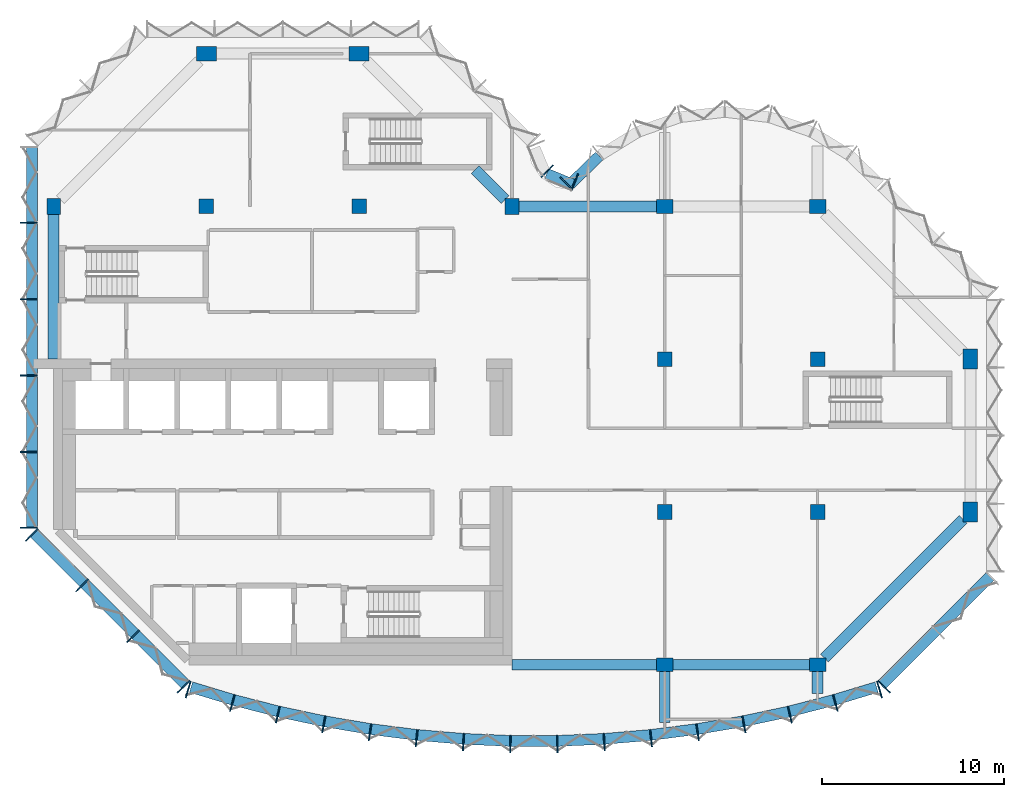
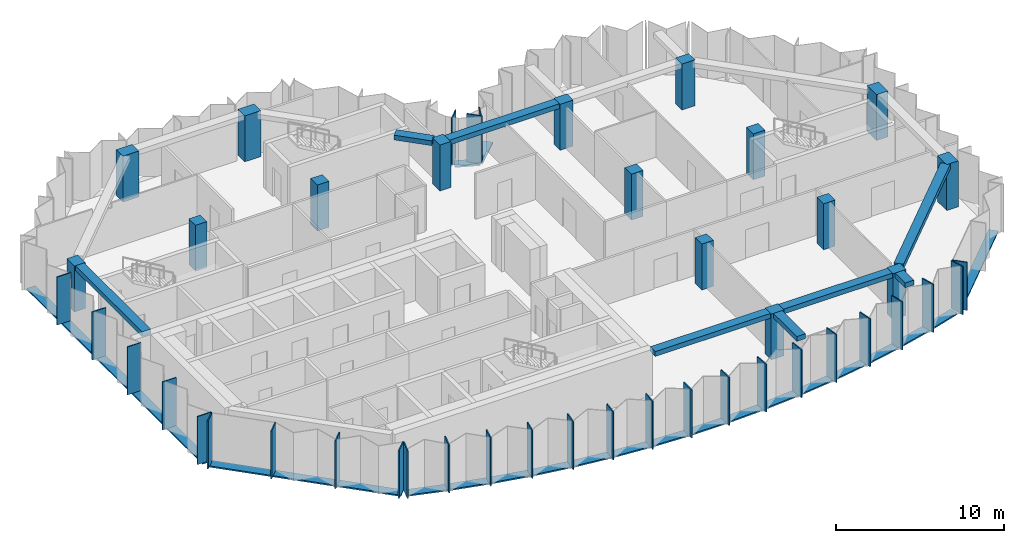
# One storey, part 1 of 10: 49 members, 16 columns, 8 beams, 6 elements without a shape of their own.
"""IFC4 building model written with IfcOpenShell, lengths in metres."""

import ifcopenshell
import ifcopenshell.guid

model = None  # the IFC model being written
_history = None  # IfcOwnerHistory: only IFC2X3 demands one
_inside = {}  # id of a spatial element -> (the spatial element, [elements in it])
_under = {}  # id of a project, library or spatial element -> (it, [spatial elements below it])
_declared = {}  # id of a project -> (the project, [libraries it declares])
_typed = {}  # id of a type object -> (the type object, [elements of that type])
_made_of = {}  # id of a material, layer set ... -> (it, [elements and type objects made of it])


def new_model(schema):
    """Start an empty IFC model of exactly this schema.

    Asked for "IFC4X3", IfcOpenShell would pick the latest addendum, in which some entities
    have other attributes; the version numbers below select the first issue.
    IFC2X3 requires an IfcOwnerHistory on every rooted entity: one is made here for all.
    """
    global model, _history
    if schema == "IFC4X3":
        model = ifcopenshell.file(schema_version=(4, 3, 0, 0))
    else:
        model = ifcopenshell.file(schema=schema)
    _inside.clear()
    _under.clear()
    _declared.clear()
    _typed.clear()
    _made_of.clear()
    _history = None
    if model.schema == "IFC2X3":
        org = make("IfcOrganization", Name="unknown")
        user = make(
            "IfcPersonAndOrganization",
            ThePerson=make("IfcPerson", FamilyName="unknown"),
            TheOrganization=org,
        )
        app = make(
            "IfcApplication",
            ApplicationDeveloper=org,
            Version="unknown",
            ApplicationFullName="unknown",
            ApplicationIdentifier="unknown",
        )
        _history = make(
            "IfcOwnerHistory",
            OwningUser=user,
            OwningApplication=app,
            ChangeAction="ADDED",
            CreationDate=0,
        )
    return model


def make(cls, **values):
    """One entity of the class cls with the attributes given. An attribute that is None is left unset."""
    return model.create_entity(
        cls, **{name: value for name, value in values.items() if value is not None}
    )


def rooted(cls, **values):
    """An entity with a GlobalId (a new one), such as an element, a storey or a relation."""
    return make(cls, GlobalId=ifcopenshell.guid.new(), OwnerHistory=_history, **values)


def si_unit(unit_type, name, prefix=None):
    """IfcSIUnit, for example si_unit("LENGTHUNIT", "METRE", prefix="MILLI")."""
    return make("IfcSIUnit", UnitType=unit_type, Prefix=prefix, Name=name)


def assignment(units):
    """IfcUnitAssignment: the units of a project."""
    return None if units is None else make("IfcUnitAssignment", Units=units)


def point(xyz):
    """IfcCartesianPoint."""
    return None if xyz is None else make("IfcCartesianPoint", Coordinates=xyz)


def direction(xyz):
    """IfcDirection."""
    return None if xyz is None else make("IfcDirection", DirectionRatios=xyz)


def frame(location, z_axis=None, x_axis=None):
    """IfcAxis2Placement3D, a coordinate frame: its origin and axes. An axis left out is left unset."""
    return make(
        "IfcAxis2Placement3D",
        Location=point(location),
        Axis=direction(z_axis),
        RefDirection=direction(x_axis),
    )


def frame_2d(location, x_axis=None):
    """IfcAxis2Placement2D, a coordinate frame in the plane: its origin and x axis."""
    return make(
        "IfcAxis2Placement2D", Location=point(location), RefDirection=direction(x_axis)
    )


def origin():
    """The frame at (0, 0, 0) with its axes left unset."""
    return frame((0.0, 0.0, 0.0))


def origin_2d():
    """The frame at (0, 0) in the plane with its x axis left unset."""
    return frame_2d((0.0, 0.0))


def place(relative_to, where):
    """IfcLocalPlacement: puts the frame where relative to a parent placement (None: the world)."""
    return make(
        "IfcLocalPlacement", PlacementRelTo=relative_to, RelativePlacement=where
    )


def context(
    kind, dimensions, precision=None, world=None, true_north=None, identifier=None
):
    """IfcGeometricRepresentationContext, for example the 3D "Model" context."""
    return make(
        "IfcGeometricRepresentationContext",
        ContextIdentifier=identifier,
        ContextType=kind,
        CoordinateSpaceDimension=dimensions,
        Precision=precision,
        WorldCoordinateSystem=world,
        TrueNorth=true_north,
    )


def subcontext(parent, identifier, kind, view, scale=None):
    """IfcGeometricRepresentationSubContext, for example "Body" below "Model"."""
    return make(
        "IfcGeometricRepresentationSubContext",
        ContextIdentifier=identifier,
        ContextType=kind,
        ParentContext=parent,
        TargetScale=scale,
        TargetView=view,
    )


def project(units=None, contexts=None):
    """IfcProject with its units and contexts."""
    return rooted(
        "IfcProject",
        Name="project",
        RepresentationContexts=contexts,
        UnitsInContext=assignment(units),
    )


def spatial(cls, under=None, at=None, **own):
    """A site, building, storey or space (cls), placed at a placement, below another one or the project."""
    s = rooted(cls, ObjectPlacement=at, **own)
    if under is not None:
        _under.setdefault(under.id(), (under, []))[1].append(s)
    return s


def profile(cls, at=None, kind="AREA", **sizes):
    """A parametric profile (cls). Its sizes go by their IFC names, for example OverallWidth=200.0."""
    return make(cls, ProfileType=kind, Position=at, **sizes)


def rectangle(**sizes):
    """IfcRectangleProfileDef."""
    return profile("IfcRectangleProfileDef", **sizes)


def extrude(swept, where, along, depth):
    """IfcExtrudedAreaSolid: the profile swept, set in the frame where, extruded along a direction by depth."""
    return make(
        "IfcExtrudedAreaSolid",
        SweptArea=swept,
        Position=where,
        ExtrudedDirection=direction(along),
        Depth=depth,
    )


def shape(context_of_items, identifier, shape_type, items):
    """IfcShapeRepresentation: the items that make up one representation, for example the "Body"."""
    return make(
        "IfcShapeRepresentation",
        ContextOfItems=context_of_items,
        RepresentationIdentifier=identifier,
        RepresentationType=shape_type,
        Items=items,
    )


def material(Name=None, Category=None):
    """IfcMaterial."""
    return make("IfcMaterial", Name=Name, Category=Category)


def material_profile(
    of_material, cross_section, Name=None, Category=None, Priority=None
):
    """IfcMaterialProfile: a cross section and its material."""
    return make(
        "IfcMaterialProfile",
        Name=Name,
        Material=of_material,
        Profile=cross_section,
        Priority=Priority,
        Category=Category,
    )


def profile_set(profiles, Name=None, composite=None):
    """IfcMaterialProfileSet."""
    return make(
        "IfcMaterialProfileSet",
        Name=Name,
        MaterialProfiles=profiles,
        CompositeProfile=composite,
    )


def made_of(thing, what):
    """Note that an element or type object is made of a material, layer set ...; save() writes the relation."""
    if what is not None:
        _made_of.setdefault(what.id(), (what, []))[1].append(thing)
    return thing


def type_object(cls, material=None, **own):
    """A type object (cls), such as IfcWallType, which elements share."""
    return made_of(rooted(cls, **own), material)


def element(
    cls,
    number,
    at=None,
    inside=None,
    cuts=None,
    type_object=None,
    material=None,
    context=None,
    identifier="Body",
    shape_type=None,
    held_by="IfcProductDefinitionShape",
    body=None,
    shapes=None,
    **own,
):
    """One element of the class cls, such as IfcWall. Its Tag is "e" and its number.

    at: its placement. inside: the storey or other place that contains it. cuts: it is an
    opening in that element (IfcRelVoidsElement). A single representation is given by context,
    identifier, shape_type and body (its items); several are given by shapes. held_by: the class
    of the entity that holds the representations. save() writes the other relations.
    """
    e = rooted(cls, Tag="e%d" % number, ObjectPlacement=at, **own)
    if body is not None:
        shapes = [shape(context, identifier, shape_type, body)]
    if shapes is not None:
        e.Representation = make(held_by, Representations=shapes)
    if inside is not None:
        _inside.setdefault(inside.id(), (inside, []))[1].append(e)
    if cuts is not None:
        rooted(
            "IfcRelVoidsElement", RelatingBuildingElement=cuts, RelatedOpeningElement=e
        )
    if type_object is not None:
        _typed.setdefault(type_object.id(), (type_object, []))[1].append(e)
    return made_of(e, material)


def aggregate(whole, parts):
    """IfcRelAggregates: a whole, such as a stair, and the parts it consists of."""
    return rooted("IfcRelAggregates", RelatingObject=whole, RelatedObjects=parts)


def save(model, path):
    """Write the relations noted so far, then the file.

    IfcRelAggregates (storeys below a building ...), IfcRelContainedInSpatialStructure (elements
    in a storey), IfcRelDefinesByType, IfcRelAssociatesMaterial and IfcRelDeclares: one each for
    every whole, place, type object, material and project.
    """
    for whole, parts in _under.values():
        aggregate(whole, parts)
    for where, things in _inside.values():
        rooted(
            "IfcRelContainedInSpatialStructure",
            RelatedElements=things,
            RelatingStructure=where,
        )
    for kind, things in _typed.values():
        rooted("IfcRelDefinesByType", RelatedObjects=things, RelatingType=kind)
    for what, things in _made_of.values():
        rooted("IfcRelAssociatesMaterial", RelatedObjects=things, RelatingMaterial=what)
    for by, libraries in _declared.values():
        rooted("IfcRelDeclares", RelatingContext=by, RelatedDefinitions=libraries)
    model.write(path)


model = new_model("IFC4")

# Units and contexts
model_context = context("Model", 3, precision=1e-05, world=origin(), true_north=direction((0.0, 1.0)))
body_context = subcontext(model_context, "Body", "Model", "MODEL_VIEW")
ifc_project = project(units=[si_unit("LENGTHUNIT", "METRE"), si_unit("AREAUNIT", "SQUARE_METRE"), si_unit("VOLUMEUNIT", "CUBIC_METRE"), si_unit("PLANEANGLEUNIT", "RADIAN"), si_unit("MASSUNIT", "GRAM", prefix="KILO")], contexts=[model_context])

# Site, building, storey
site_placement = place(None, origin())
site = spatial("IfcSite", under=ifc_project, at=site_placement, CompositionType="ELEMENT")
building_placement = place(site_placement, origin())
building = spatial("IfcBuilding", under=site, at=building_placement, Name="Brevane Broadcast Tower", CompositionType="ELEMENT")
storey_placement = place(building_placement, frame((0.0, 0.0, 230.10009765625)))
storey = spatial("IfcBuildingStorey", under=building, at=storey_placement, Name="L58", CompositionType="ELEMENT", Elevation=230.10009765625)

# Columns
ifc_material_1 = material(Name="Concrete C50/60", Category="concrete")
ifc_material_profile_1 = material_profile(ifc_material_1, rectangle(XDim=0.75, YDim=0.89990234375, at=origin_2d()), Name="RC 750x900")
ifc_profile_set_1 = profile_set([ifc_material_profile_1], Name="Concrete C50/60")
column_type_1 = type_object("IfcColumnType", Name="RC COLUMN EDGE 750x900 C50/60", PredefinedType="COLUMN", material=ifc_profile_set_1)
for number, where, z_axis, x_axis, name in (
    (1, (0.0, 25.199951171875, 0.0), (0.0, 0.0, 1.0), (1.0, 0.0, 0.0), "CE14 1/D"),
    (2, (25.199951171875, 25.199951171875, 0.0), (0.0, 0.0, 1.0), (1.0, 0.0, 0.0), "CE14 4/D"),
    (3, (33.60009765625, 0.0, 0.0), (0.0, 0.0, 1.0), (0.0, 1.0, 0.0), "CE14 5/A"),
    (4, (33.60009765625, 25.199951171875, 0.0), (0.0, 0.0, 1.0), (0.0, 1.0, 0.0), "CE14 5/D"),
    (5, (42.0, 0.0, 0.0), (0.0, 0.0, 1.0), (0.0, 1.0, 0.0), "CE14 6/A"),
    (6, (42.0, 25.199951171875, 0.0), (0.0, 0.0, 1.0), (0.0, 1.0, 0.0), "CE14 6/D"),
):
    element("IfcColumn", number, at=place(storey_placement, frame(where, z_axis=z_axis, x_axis=x_axis)), inside=storey, type_object=column_type_1, Name=name, PredefinedType="COLUMN", context=body_context, shape_type="SweptSolid", body=[
        extrude(rectangle(XDim=0.75, YDim=0.89990234375, at=origin_2d()), origin(), (0.0, 0.0, 1.0), 3.349853515625),
    ])
ifc_material_profile_2 = material_profile(ifc_material_1, rectangle(XDim=0.800048828125, YDim=0.800048828125, at=origin_2d()), Name="RC 800x800")
ifc_profile_set_2 = profile_set([ifc_material_profile_2], Name="Concrete C50/60")
column_type_2 = type_object("IfcColumnType", Name="RC COLUMN INTERIOR 800x800 C50/60", PredefinedType="COLUMN", material=ifc_profile_set_2)
for number, where, z_axis, x_axis, name in (
    (7, (8.39990234375, 25.199951171875, 0.0), (0.0, 0.0, 1.0), (1.0, 0.0, 0.0), "CI15 2/D"),
    (8, (16.800048828125, 25.199951171875, 0.0), (0.0, 0.0, 1.0), (1.0, 0.0, 0.0), "CI15 3/D"),
    (9, (33.60009765625, 8.39990234375, 0.0), (0.0, 0.0, 1.0), (1.0, 0.0, 0.0), "CI15 5/B"),
    (10, (33.60009765625, 16.800048828125, 0.0), (0.0, 0.0, 1.0), (1.0, 0.0, 0.0), "CI15 5/C"),
    (11, (42.0, 8.39990234375, 0.0), (0.0, 0.0, 1.0), (1.0, 0.0, 0.0), "CI15 6/B"),
    (12, (42.0, 16.800048828125, 0.0), (0.0, 0.0, 1.0), (1.0, 0.0, 0.0), "CI15 6/C"),
):
    element("IfcColumn", number, at=place(storey_placement, frame(where, z_axis=z_axis, x_axis=x_axis)), inside=storey, type_object=column_type_2, Name=name, PredefinedType="COLUMN", context=body_context, shape_type="SweptSolid", body=[
        extrude(rectangle(XDim=0.800048828125, YDim=0.800048828125, at=origin_2d()), origin(), (0.0, 0.0, 1.0), 3.349853515625),
    ])
ifc_material_profile_3 = material_profile(ifc_material_1, rectangle(XDim=0.800048828125, YDim=1.10009765625, at=origin_2d()), Name="RC 800x1100")
ifc_profile_set_3 = profile_set([ifc_material_profile_3], Name="Concrete C50/60")
column_type_3 = type_object("IfcColumnType", Name="RC COLUMN WING-END 800x1100 C50/60", PredefinedType="COLUMN", material=ifc_profile_set_3)
for number, where, z_axis, x_axis, name in (
    (13, (8.39990234375, 33.60009765625, 0.0), (0.0, 0.0, 1.0), (0.0, 1.0, 0.0), "CW16 2/E"),
    (14, (16.800048828125, 33.60009765625, 0.0), (0.0, 0.0, 1.0), (0.0, 1.0, 0.0), "CW16 3/E"),
    (15, (50.39990234375, 8.39990234375, 0.0), (0.0, 0.0, 1.0), (1.0, 0.0, 0.0), "CW16 7/B"),
    (16, (50.39990234375, 16.800048828125, 0.0), (0.0, 0.0, 1.0), (1.0, 0.0, 0.0), "CW16 7/C"),
):
    element("IfcColumn", number, at=place(storey_placement, frame(where, z_axis=z_axis, x_axis=x_axis)), inside=storey, type_object=column_type_3, Name=name, PredefinedType="COLUMN", context=body_context, shape_type="SweptSolid", body=[
        extrude(rectangle(XDim=0.800048828125, YDim=1.10009765625, at=origin_2d()), origin(), (0.0, 0.0, 1.0), 3.349853515625),
    ])

# Curtain wall, members
ifc_material_2 = material(Name="Aluminium 6063-T6 bronze anodised", Category="aluminium")
curtain_wall_type = type_object("IfcCurtainWallType", Name="CW-1 curtain wall", PredefinedType="NOTDEFINED", material=ifc_material_2)
curtain_wall_1_placement = place(storey_placement, origin())
curtain_wall_1 = element("IfcCurtainWall", 17, at=curtain_wall_1_placement, inside=storey, type_object=curtain_wall_type, Name="CW-1 typical tilted unit L58 south bow", PredefinedType="NOTDEFINED")
ifc_material_profile_4 = material_profile(ifc_material_2, rectangle(XDim=0.949951171875, YDim=0.070068359375, at=origin_2d()), Name="RECT 70x950")
ifc_profile_set_4 = profile_set([ifc_material_profile_4], Name="Aluminium 6063-T6 bronze anodised")
member_type_1 = type_object("IfcMemberType", Name="CW-1 mullion 70x950", PredefinedType="MULLION", material=ifc_profile_set_4)
member_1_placement = place(storey_placement, frame((7.396240234375, -1.36474609375, -0.150146484375), z_axis=(0.0, 0.0, 1.0), x_axis=(0.288968122518, 0.957338719664, 0.0)))
member_1 = element("IfcMember", 18, at=member_1_placement, type_object=member_type_1, Name="CW-1 mullion", PredefinedType="MULLION", context=body_context, shape_type="SweptSolid", body=[
    extrude(rectangle(XDim=0.949951171875, YDim=0.070068359375, at=origin_2d()), origin(), (0.0, 0.0, 1.0), 3.5),
])
member_2_placement = place(storey_placement, frame((9.824951171875, -2.097900390625, -0.150146484375), z_axis=(0.0, 0.0, 1.0), x_axis=(0.268915519935, 0.963163767559, 0.0)))
member_2 = element("IfcMember", 19, at=member_2_placement, type_object=member_type_1, Name="CW-1 mullion", PredefinedType="MULLION", context=body_context, shape_type="SweptSolid", body=[
    extrude(rectangle(XDim=0.949951171875, YDim=0.070068359375, at=origin_2d()), origin(), (0.0, 0.0, 1.0), 3.5),
])
member_3_placement = place(storey_placement, frame((12.325439453125, -2.739990234375, -0.150146484375), z_axis=(0.0, 0.0, 1.0), x_axis=(0.228467410001, 0.97355156133, 0.0)))
member_3 = element("IfcMember", 20, at=member_3_placement, type_object=member_type_1, Name="CW-1 mullion", PredefinedType="MULLION", context=body_context, shape_type="SweptSolid", body=[
    extrude(rectangle(XDim=0.949951171875, YDim=0.070068359375, at=origin_2d()), origin(), (0.0, 0.0, 1.0), 3.5),
])
member_4_placement = place(storey_placement, frame((14.8505859375, -3.277099609375, -0.150146484375), z_axis=(0.0, 0.0, 1.0), x_axis=(0.187620976959, 0.982241502384, 0.0)))
member_4 = element("IfcMember", 21, at=member_4_placement, type_object=member_type_1, Name="CW-1 mullion", PredefinedType="MULLION", context=body_context, shape_type="SweptSolid", body=[
    extrude(rectangle(XDim=0.949951171875, YDim=0.070068359375, at=origin_2d()), origin(), (0.0, 0.0, 1.0), 3.5),
])
member_5_placement = place(storey_placement, frame((17.395751953125, -3.70849609375, -0.150146484375), z_axis=(0.0, 0.0, 1.0), x_axis=(0.146447392256, 0.989218459847, 0.0)))
member_5 = element("IfcMember", 22, at=member_5_placement, type_object=member_type_1, Name="CW-1 mullion", PredefinedType="MULLION", context=body_context, shape_type="SweptSolid", body=[
    extrude(rectangle(XDim=0.949951171875, YDim=0.070068359375, at=origin_2d()), origin(), (0.0, 0.0, 1.0), 3.5),
])
member_6_placement = place(storey_placement, frame((19.95703125, -4.033203125, -0.150146484375), z_axis=(0.0, 0.0, 1.0), x_axis=(0.105018395305, 0.994470279419, 0.0)))
member_6 = element("IfcMember", 23, at=member_6_placement, type_object=member_type_1, Name="CW-1 mullion", PredefinedType="MULLION", context=body_context, shape_type="SweptSolid", body=[
    extrude(rectangle(XDim=0.949951171875, YDim=0.070068359375, at=origin_2d()), origin(), (0.0, 0.0, 1.0), 3.5),
])
member_7_placement = place(storey_placement, frame((22.529296875, -4.250732421875, -0.150146484375), z_axis=(0.0, 0.0, 1.0), x_axis=(0.063406169479, 0.99798780437, 0.0)))
member_7 = element("IfcMember", 24, at=member_7_placement, type_object=member_type_1, Name="CW-1 mullion", PredefinedType="MULLION", context=body_context, shape_type="SweptSolid", body=[
    extrude(rectangle(XDim=0.949951171875, YDim=0.070068359375, at=origin_2d()), origin(), (0.0, 0.0, 1.0), 3.5),
])
member_8_placement = place(storey_placement, frame((25.10888671875, -4.360595703125, -0.150146484375), z_axis=(0.0, 0.0, 1.0), x_axis=(0.021281828243, 0.999773516246, 0.0)))
member_8 = element("IfcMember", 25, at=member_8_placement, type_object=member_type_1, Name="CW-1 mullion", PredefinedType="MULLION", context=body_context, shape_type="SweptSolid", body=[
    extrude(rectangle(XDim=0.949951171875, YDim=0.070068359375, at=origin_2d()), origin(), (0.0, 0.0, 1.0), 3.5),
])
member_9_placement = place(storey_placement, frame((27.691162109375, -4.360595703125, -0.150146484375), z_axis=(0.0, 0.0, 1.0), x_axis=(-0.021281828243, 0.999773516246, 0.0)))
member_9 = element("IfcMember", 26, at=member_9_placement, type_object=member_type_1, Name="CW-1 mullion", PredefinedType="MULLION", context=body_context, shape_type="SweptSolid", body=[
    extrude(rectangle(XDim=0.949951171875, YDim=0.070068359375, at=origin_2d()), origin(), (0.0, 0.0, 1.0), 3.5),
])
member_10_placement = place(storey_placement, frame((30.2705078125, -4.250732421875, -0.150146484375), z_axis=(0.0, 0.0, 1.0), x_axis=(-0.063406169479, 0.99798780437, 0.0)))
member_10 = element("IfcMember", 27, at=member_10_placement, type_object=member_type_1, Name="CW-1 mullion", PredefinedType="MULLION", context=body_context, shape_type="SweptSolid", body=[
    extrude(rectangle(XDim=0.949951171875, YDim=0.070068359375, at=origin_2d()), origin(), (0.0, 0.0, 1.0), 3.5),
])
member_11_placement = place(storey_placement, frame((32.843017578125, -4.033203125, -0.150146484375), z_axis=(0.0, 0.0, 1.0), x_axis=(-0.105018395305, 0.994470279419, 0.0)))
member_11 = element("IfcMember", 28, at=member_11_placement, type_object=member_type_1, Name="CW-1 mullion", PredefinedType="MULLION", context=body_context, shape_type="SweptSolid", body=[
    extrude(rectangle(XDim=0.949951171875, YDim=0.070068359375, at=origin_2d()), origin(), (0.0, 0.0, 1.0), 3.5),
])
member_12_placement = place(storey_placement, frame((35.404296875, -3.70849609375, -0.150146484375), z_axis=(0.0, 0.0, 1.0), x_axis=(-0.146447392256, 0.989218459847, 0.0)))
member_12 = element("IfcMember", 29, at=member_12_placement, type_object=member_type_1, Name="CW-1 mullion", PredefinedType="MULLION", context=body_context, shape_type="SweptSolid", body=[
    extrude(rectangle(XDim=0.949951171875, YDim=0.070068359375, at=origin_2d()), origin(), (0.0, 0.0, 1.0), 3.5),
])
member_13_placement = place(storey_placement, frame((37.949462890625, -3.277099609375, -0.150146484375), z_axis=(0.0, 0.0, 1.0), x_axis=(-0.187620976959, 0.982241502384, 0.0)))
member_13 = element("IfcMember", 30, at=member_13_placement, type_object=member_type_1, Name="CW-1 mullion", PredefinedType="MULLION", context=body_context, shape_type="SweptSolid", body=[
    extrude(rectangle(XDim=0.949951171875, YDim=0.070068359375, at=origin_2d()), origin(), (0.0, 0.0, 1.0), 3.5),
])
member_14_placement = place(storey_placement, frame((40.474609375, -2.739990234375, -0.150146484375), z_axis=(0.0, 0.0, 1.0), x_axis=(-0.228467410001, 0.97355156133, 0.0)))
member_14 = element("IfcMember", 31, at=member_14_placement, type_object=member_type_1, Name="CW-1 mullion", PredefinedType="MULLION", context=body_context, shape_type="SweptSolid", body=[
    extrude(rectangle(XDim=0.949951171875, YDim=0.070068359375, at=origin_2d()), origin(), (0.0, 0.0, 1.0), 3.5),
])
member_15_placement = place(storey_placement, frame((42.97509765625, -2.097900390625, -0.150146484375), z_axis=(0.0, 0.0, 1.0), x_axis=(-0.268915519935, 0.963163767559, 0.0)))
member_15 = element("IfcMember", 32, at=member_15_placement, type_object=member_type_1, Name="CW-1 mullion", PredefinedType="MULLION", context=body_context, shape_type="SweptSolid", body=[
    extrude(rectangle(XDim=0.949951171875, YDim=0.070068359375, at=origin_2d()), origin(), (0.0, 0.0, 1.0), 3.5),
])
member_16_placement = place(storey_placement, frame((45.40380859375, -1.36474609375, -0.150146484375), z_axis=(0.0, 0.0, 1.0), x_axis=(-0.288968122518, 0.957338719664, 0.0)))
member_16 = element("IfcMember", 33, at=member_16_placement, type_object=member_type_1, Name="CW-1 mullion", PredefinedType="MULLION", context=body_context, shape_type="SweptSolid", body=[
    extrude(rectangle(XDim=0.949951171875, YDim=0.070068359375, at=origin_2d()), origin(), (0.0, 0.0, 1.0), 3.5),
])

# Curtain wall, member
curtain_wall_2_placement = place(storey_placement, origin())
curtain_wall_2 = element("IfcCurtainWall", 34, at=curtain_wall_2_placement, inside=storey, type_object=curtain_wall_type, Name="CW-1 typical tilted unit L58 south-east chamfer", PredefinedType="NOTDEFINED")
member_17_placement = place(storey_placement, frame((45.66064453125, -1.211181640625, -0.150146484375), z_axis=(0.0, 0.0, 1.0), x_axis=(-0.707106781187, 0.707106781187, 0.0)))
member_17 = element("IfcMember", 35, at=member_17_placement, type_object=member_type_1, Name="CW-1 mullion", PredefinedType="MULLION", context=body_context, shape_type="SweptSolid", body=[
    extrude(rectangle(XDim=0.949951171875, YDim=0.070068359375, at=origin_2d()), origin(), (0.0, 0.0, 1.0), 3.5),
])

curtain_wall_3_placement = place(storey_placement, origin())
curtain_wall_3 = element("IfcCurtainWall", 36, at=curtain_wall_3_placement, inside=storey, type_object=curtain_wall_type, Name="CW-1 typical tilted unit L58 east bow", PredefinedType="NOTDEFINED")
member_18_placement = place(storey_placement, frame((28.194091796875, 26.465087890625, -0.150146484375), z_axis=(0.0, 0.0, 1.0), x_axis=(0.696812089895, -0.717253728729, 0.0)))
member_18 = element("IfcMember", 37, at=member_18_placement, type_object=member_type_1, Name="CW-1 mullion", PredefinedType="MULLION", context=body_context, shape_type="SweptSolid", body=[
    extrude(rectangle(XDim=0.949951171875, YDim=0.070068359375, at=origin_2d()), origin(), (0.0, 0.0, 1.0), 3.5),
])

# Curtain wall, members
curtain_wall_4_placement = place(storey_placement, origin())
curtain_wall_4 = element("IfcCurtainWall", 38, at=curtain_wall_4_placement, inside=storey, type_object=curtain_wall_type, Name="CW-1 typical tilted unit L58 inner corner", PredefinedType="NOTDEFINED")
member_19_placement = place(storey_placement, frame((28.6494140625, 26.55224609375, -0.150146484375), z_axis=(0.0, 0.0, 1.0), x_axis=(-0.382683432365, -0.923879532511, 0.0)))
member_19 = element("IfcMember", 39, at=member_19_placement, type_object=member_type_1, Name="CW-1 mullion", PredefinedType="MULLION", context=body_context, shape_type="SweptSolid", body=[
    extrude(rectangle(XDim=0.949951171875, YDim=0.070068359375, at=origin_2d()), origin(), (0.0, 0.0, 1.0), 3.5),
])
member_20_placement = place(storey_placement, frame((27.138916015625, 27.138916015625, -0.150146484375), z_axis=(0.0, 0.0, 1.0), x_axis=(-0.707106781187, -0.707106781187, 0.0)))
member_20 = element("IfcMember", 40, at=member_20_placement, type_object=member_type_1, Name="CW-1 mullion", PredefinedType="MULLION", context=body_context, shape_type="SweptSolid", body=[
    extrude(rectangle(XDim=0.949951171875, YDim=0.070068359375, at=origin_2d()), origin(), (0.0, 0.0, 1.0), 3.5),
])

curtain_wall_5_placement = place(storey_placement, origin())
curtain_wall_5 = element("IfcCurtainWall", 41, at=curtain_wall_5_placement, inside=storey, type_object=curtain_wall_type, Name="CW-1 typical tilted unit L58 west face", PredefinedType="NOTDEFINED")
member_21_placement = place(storey_placement, frame((-1.375, 24.300048828125, -0.150146484375), z_axis=(0.0, 0.0, 1.0), x_axis=(1.0, 0.0, 0.0)))
member_21 = element("IfcMember", 42, at=member_21_placement, type_object=member_type_1, Name="CW-1 mullion", PredefinedType="MULLION", context=body_context, shape_type="SweptSolid", body=[
    extrude(rectangle(XDim=0.949951171875, YDim=0.070068359375, at=origin_2d()), origin(), (0.0, 0.0, 1.0), 3.5),
])
member_22_placement = place(storey_placement, frame((-1.375, 20.10009765625, -0.150146484375), z_axis=(0.0, 0.0, 1.0), x_axis=(1.0, 0.0, 0.0)))
member_22 = element("IfcMember", 43, at=member_22_placement, type_object=member_type_1, Name="CW-1 mullion", PredefinedType="MULLION", context=body_context, shape_type="SweptSolid", body=[
    extrude(rectangle(XDim=0.949951171875, YDim=0.070068359375, at=origin_2d()), origin(), (0.0, 0.0, 1.0), 3.5),
])
member_23_placement = place(storey_placement, frame((-1.375, 15.89990234375, -0.150146484375), z_axis=(0.0, 0.0, 1.0), x_axis=(1.0, 0.0, 0.0)))
member_23 = element("IfcMember", 44, at=member_23_placement, type_object=member_type_1, Name="CW-1 mullion", PredefinedType="MULLION", context=body_context, shape_type="SweptSolid", body=[
    extrude(rectangle(XDim=0.949951171875, YDim=0.070068359375, at=origin_2d()), origin(), (0.0, 0.0, 1.0), 3.5),
])
member_24_placement = place(storey_placement, frame((-1.375, 11.699951171875, -0.150146484375), z_axis=(0.0, 0.0, 1.0), x_axis=(1.0, 0.0, 0.0)))
member_24 = element("IfcMember", 45, at=member_24_placement, type_object=member_type_1, Name="CW-1 mullion", PredefinedType="MULLION", context=body_context, shape_type="SweptSolid", body=[
    extrude(rectangle(XDim=0.949951171875, YDim=0.070068359375, at=origin_2d()), origin(), (0.0, 0.0, 1.0), 3.5),
])
member_25_placement = place(storey_placement, frame((-1.375, 7.534912109375, -0.150146484375), z_axis=(0.0, 0.0, 1.0), x_axis=(1.0, 0.0, 0.0)))
member_25 = element("IfcMember", 46, at=member_25_placement, type_object=member_type_1, Name="CW-1 mullion", PredefinedType="MULLION", context=body_context, shape_type="SweptSolid", body=[
    extrude(rectangle(XDim=0.949951171875, YDim=0.070068359375, at=origin_2d()), origin(), (0.0, 0.0, 1.0), 3.5),
])

curtain_wall_6_placement = place(storey_placement, origin())
curtain_wall_6 = element("IfcCurtainWall", 47, at=curtain_wall_6_placement, inside=storey, type_object=curtain_wall_type, Name="CW-1 typical tilted unit L58 south-west chamfer", PredefinedType="NOTDEFINED")
member_26_placement = place(storey_placement, frame((-1.211181640625, 7.139404296875, -0.150146484375), z_axis=(0.0, 0.0, 1.0), x_axis=(0.707106781187, 0.707106781187, 0.0)))
member_26 = element("IfcMember", 48, at=member_26_placement, type_object=member_type_1, Name="CW-1 mullion", PredefinedType="MULLION", context=body_context, shape_type="SweptSolid", body=[
    extrude(rectangle(XDim=0.949951171875, YDim=0.070068359375, at=origin_2d()), origin(), (0.0, 0.0, 1.0), 3.5),
])
member_27_placement = place(storey_placement, frame((1.564208984375, 4.364013671875, -0.150146484375), z_axis=(0.0, 0.0, 1.0), x_axis=(0.707106781187, 0.707106781187, 0.0)))
member_27 = element("IfcMember", 49, at=member_27_placement, type_object=member_type_1, Name="CW-1 mullion", PredefinedType="MULLION", context=body_context, shape_type="SweptSolid", body=[
    extrude(rectangle(XDim=0.949951171875, YDim=0.070068359375, at=origin_2d()), origin(), (0.0, 0.0, 1.0), 3.5),
])
member_28_placement = place(storey_placement, frame((4.364013671875, 1.564208984375, -0.150146484375), z_axis=(0.0, 0.0, 1.0), x_axis=(0.707106781187, 0.707106781187, 0.0)))
member_28 = element("IfcMember", 50, at=member_28_placement, type_object=member_type_1, Name="CW-1 mullion", PredefinedType="MULLION", context=body_context, shape_type="SweptSolid", body=[
    extrude(rectangle(XDim=0.949951171875, YDim=0.070068359375, at=origin_2d()), origin(), (0.0, 0.0, 1.0), 3.5),
])
member_29_placement = place(storey_placement, frame((7.139404296875, -1.211181640625, -0.150146484375), z_axis=(0.0, 0.0, 1.0), x_axis=(0.707106781187, 0.707106781187, 0.0)))
member_29 = element("IfcMember", 51, at=member_29_placement, type_object=member_type_1, Name="CW-1 mullion", PredefinedType="MULLION", context=body_context, shape_type="SweptSolid", body=[
    extrude(rectangle(XDim=0.949951171875, YDim=0.070068359375, at=origin_2d()), origin(), (0.0, 0.0, 1.0), 3.5),
])

# Member
ifc_material_profile_5 = material_profile(ifc_material_2, rectangle(XDim=0.60009765625, YDim=0.10009765625, at=origin_2d()), Name="RECT 100x600")
ifc_profile_set_5 = profile_set([ifc_material_profile_5], Name="Aluminium 6063-T6 bronze anodised")
member_type_2 = type_object("IfcMemberType", Name="CW-1 transom 100x600", PredefinedType="USERDEFINED", material=ifc_profile_set_5)
member_30_placement = place(storey_placement, frame((7.553955078125, -1.229736328125, -0.2001953125), z_axis=(0.957362578524, -0.288889067362, 0.0), x_axis=(0.288889067362, 0.957362578524, 0.0)))
member_30 = element("IfcMember", 52, at=member_30_placement, type_object=member_type_2, Name="CW-1 transom", ObjectType="TRANSOM", PredefinedType="USERDEFINED", context=body_context, shape_type="SweptSolid", body=[
    extrude(rectangle(XDim=0.60009765625, YDim=0.10009765625, at=origin_2d()), origin(), (0.0, 0.0, 1.0), 2.411865234375),
])

member_31_placement = place(storey_placement, frame((9.8759765625, -1.930419921875, -0.2001953125), z_axis=(0.968569727699, -0.248742201052, 0.0), x_axis=(0.248742201052, 0.968569727699, 0.0)))
member_31 = element("IfcMember", 53, at=member_31_placement, type_object=member_type_2, Name="CW-1 transom", ObjectType="TRANSOM", PredefinedType="USERDEFINED", context=body_context, shape_type="SweptSolid", body=[
    extrude(rectangle(XDim=0.60009765625, YDim=0.10009765625, at=origin_2d()), origin(), (0.0, 0.0, 1.0), 2.561767578125),
])

member_32_placement = place(storey_placement, frame((12.370361328125, -2.57080078125, -0.2001953125), z_axis=(0.978117897278, -0.208051385536, 0.0), x_axis=(0.208051385536, 0.978117897278, 0.0)))
member_32 = element("IfcMember", 54, at=member_32_placement, type_object=member_type_2, Name="CW-1 transom", ObjectType="TRANSOM", PredefinedType="USERDEFINED", context=body_context, shape_type="SweptSolid", body=[
    extrude(rectangle(XDim=0.60009765625, YDim=0.10009765625, at=origin_2d()), origin(), (0.0, 0.0, 1.0), 2.561767578125),
])

member_33_placement = place(storey_placement, frame((14.88916015625, -3.1064453125, -0.2001953125), z_axis=(0.985947338221, -0.167056416383, 0.0), x_axis=(0.167056416383, 0.985947338221, 0.0)))
member_33 = element("IfcMember", 55, at=member_33_placement, type_object=member_type_2, Name="CW-1 transom", ObjectType="TRANSOM", PredefinedType="USERDEFINED", context=body_context, shape_type="SweptSolid", body=[
    extrude(rectangle(XDim=0.60009765625, YDim=0.10009765625, at=origin_2d()), origin(), (0.0, 0.0, 1.0), 2.561767578125),
])

member_34_placement = place(storey_placement, frame((17.428466796875, -3.536376953125, -0.2001953125), z_axis=(0.99206678005, -0.12571198798, 0.0), x_axis=(0.12571198798, 0.99206678005, 0.0)))
member_34 = element("IfcMember", 56, at=member_34_placement, type_object=member_type_2, Name="CW-1 transom", ObjectType="TRANSOM", PredefinedType="USERDEFINED", context=body_context, shape_type="SweptSolid", body=[
    extrude(rectangle(XDim=0.60009765625, YDim=0.10009765625, at=origin_2d()), origin(), (0.0, 0.0, 1.0), 2.5615234375),
])

member_35_placement = place(storey_placement, frame((19.983154296875, -3.85986328125, -0.2001953125), z_axis=(0.99644513768, -0.084244214012, 0.0), x_axis=(0.084244214012, 0.99644513768, 0.0)))
member_35 = element("IfcMember", 57, at=member_35_placement, type_object=member_type_2, Name="CW-1 transom", ObjectType="TRANSOM", PredefinedType="USERDEFINED", context=body_context, shape_type="SweptSolid", body=[
    extrude(rectangle(XDim=0.60009765625, YDim=0.10009765625, at=origin_2d()), origin(), (0.0, 0.0, 1.0), 2.561767578125),
])

member_36_placement = place(storey_placement, frame((22.54931640625, -4.076416015625, -0.2001953125), z_axis=(0.999092306129, -0.042597697524, 0.0), x_axis=(0.042597697524, 0.999092306129, 0.0)))
member_36 = element("IfcMember", 58, at=member_36_placement, type_object=member_type_2, Name="CW-1 transom", ObjectType="TRANSOM", PredefinedType="USERDEFINED", context=body_context, shape_type="SweptSolid", body=[
    extrude(rectangle(XDim=0.60009765625, YDim=0.10009765625, at=origin_2d()), origin(), (0.0, 0.0, 1.0), 2.56201171875),
])

member_37_placement = place(storey_placement, frame((25.122314453125, -4.185546875, -0.2001953125), z_axis=(1.0, 0.0, 0.0), x_axis=(0.0, 1.0, 0.0)))
member_37 = element("IfcMember", 59, at=member_37_placement, type_object=member_type_2, Name="CW-1 transom", ObjectType="TRANSOM", PredefinedType="USERDEFINED", context=body_context, shape_type="SweptSolid", body=[
    extrude(rectangle(XDim=0.60009765625, YDim=0.10009765625, at=origin_2d()), origin(), (0.0, 0.0, 1.0), 2.56201171875),
])

member_38_placement = place(storey_placement, frame((27.691162109375, -4.185546875, -0.2001953125), z_axis=(0.999092133182, 0.042601753652, 0.0), x_axis=(-0.042601753652, 0.999092133182, 0.0)))
member_38 = element("IfcMember", 60, at=member_38_placement, type_object=member_type_2, Name="CW-1 transom", ObjectType="TRANSOM", PredefinedType="USERDEFINED", context=body_context, shape_type="SweptSolid", body=[
    extrude(rectangle(XDim=0.60009765625, YDim=0.10009765625, at=origin_2d()), origin(), (0.0, 0.0, 1.0), 2.561767578125),
])

member_39_placement = place(storey_placement, frame((30.26416015625, -4.07568359375, -0.2001953125), z_axis=(0.99644513768, 0.084244214012, 0.0), x_axis=(-0.084244214012, 0.99644513768, 0.0)))
member_39 = element("IfcMember", 61, at=member_39_placement, type_object=member_type_2, Name="CW-1 transom", ObjectType="TRANSOM", PredefinedType="USERDEFINED", context=body_context, shape_type="SweptSolid", body=[
    extrude(rectangle(XDim=0.60009765625, YDim=0.10009765625, at=origin_2d()), origin(), (0.0, 0.0, 1.0), 2.561767578125),
])

member_40_placement = place(storey_placement, frame((32.830322265625, -3.8583984375, -0.2001953125), z_axis=(0.99206678005, 0.12571198798, 0.0), x_axis=(-0.12571198798, 0.99206678005, 0.0)))
member_40 = element("IfcMember", 62, at=member_40_placement, type_object=member_type_2, Name="CW-1 transom", ObjectType="TRANSOM", PredefinedType="USERDEFINED", context=body_context, shape_type="SweptSolid", body=[
    extrude(rectangle(XDim=0.60009765625, YDim=0.10009765625, at=origin_2d()), origin(), (0.0, 0.0, 1.0), 2.5615234375),
])

member_41_placement = place(storey_placement, frame((35.385009765625, -3.534423828125, -0.2001953125), z_axis=(0.9859446783, 0.167072114167, 0.0), x_axis=(-0.167072114167, 0.9859446783, 0.0)))
member_41 = element("IfcMember", 63, at=member_41_placement, type_object=member_type_2, Name="CW-1 transom", ObjectType="TRANSOM", PredefinedType="USERDEFINED", context=body_context, shape_type="SweptSolid", body=[
    extrude(rectangle(XDim=0.60009765625, YDim=0.10009765625, at=origin_2d()), origin(), (0.0, 0.0, 1.0), 2.5615234375),
])

member_42_placement = place(storey_placement, frame((37.924072265625, -3.103759765625, -0.2001953125), z_axis=(0.978117897278, 0.208051385536, 0.0), x_axis=(-0.208051385536, 0.978117897278, 0.0)))
member_42 = element("IfcMember", 64, at=member_42_placement, type_object=member_type_2, Name="CW-1 transom", ObjectType="TRANSOM", PredefinedType="USERDEFINED", context=body_context, shape_type="SweptSolid", body=[
    extrude(rectangle(XDim=0.60009765625, YDim=0.10009765625, at=origin_2d()), origin(), (0.0, 0.0, 1.0), 2.561767578125),
])

member_43_placement = place(storey_placement, frame((40.44287109375, -2.567626953125, -0.2001953125), z_axis=(0.968569727699, 0.248742201052, 0.0), x_axis=(-0.248742201052, 0.968569727699, 0.0)))
member_43 = element("IfcMember", 65, at=member_43_placement, type_object=member_type_2, Name="CW-1 transom", ObjectType="TRANSOM", PredefinedType="USERDEFINED", context=body_context, shape_type="SweptSolid", body=[
    extrude(rectangle(XDim=0.60009765625, YDim=0.10009765625, at=origin_2d()), origin(), (0.0, 0.0, 1.0), 2.561767578125),
])

member_44_placement = place(storey_placement, frame((42.93701171875, -1.926513671875, -0.2001953125), z_axis=(0.957362578524, 0.288889067362, 0.0), x_axis=(-0.288889067362, 0.957362578524, 0.0)))
member_44 = element("IfcMember", 66, at=member_44_placement, type_object=member_type_2, Name="CW-1 transom", ObjectType="TRANSOM", PredefinedType="USERDEFINED", context=body_context, shape_type="SweptSolid", body=[
    extrude(rectangle(XDim=0.60009765625, YDim=0.10009765625, at=origin_2d()), origin(), (0.0, 0.0, 1.0), 2.411865234375),
])

aggregate(curtain_wall_1, [member_1, member_2, member_3, member_4, member_5, member_6, member_7, member_8, member_9, member_10, member_11, member_12, member_13, member_14, member_15, member_16, member_30, member_31, member_32, member_33, member_34, member_35, member_36, member_37, member_38, member_39, member_40, member_41, member_42, member_43, member_44])

member_45_placement = place(storey_placement, frame((45.51220703125, -1.112060546875, -0.2001953125), z_axis=(0.707106781187, 0.707106781187, 0.0), x_axis=(-0.707106781187, 0.707106781187, 0.0)))
member_45 = element("IfcMember", 67, at=member_45_placement, type_object=member_type_2, Name="CW-1 transom", ObjectType="TRANSOM", PredefinedType="USERDEFINED", context=body_context, shape_type="SweptSolid", body=[
    extrude(rectangle(XDim=0.60009765625, YDim=0.10009765625, at=origin_2d()), origin(), (0.0, 0.0, 1.0), 8.4853515625),
])

aggregate(curtain_wall_2, [member_17, member_45])

member_46_placement = place(storey_placement, frame((29.99951171875, 27.974365234375, -0.2001953125), z_axis=(-0.71724215871, -0.696823999134, 0.0), x_axis=(0.696823999134, -0.71724215871, 0.0)))
member_46 = element("IfcMember", 68, at=member_46_placement, type_object=member_type_2, Name="CW-1 transom", ObjectType="TRANSOM", PredefinedType="USERDEFINED", context=body_context, shape_type="SweptSolid", body=[
    extrude(rectangle(XDim=0.60009765625, YDim=0.10009765625, at=origin_2d()), origin(), (0.0, 0.0, 1.0), 2.247802734375),
])

aggregate(curtain_wall_3, [member_18, member_46])

member_47_placement = place(storey_placement, frame((28.528076171875, 26.40673828125, -0.2001953125), z_axis=(-0.923883243627, 0.382674472816, 0.0), x_axis=(-0.382674472816, -0.923883243627, 0.0)))
member_47 = element("IfcMember", 69, at=member_47_placement, type_object=member_type_2, Name="CW-1 transom", ObjectType="TRANSOM", PredefinedType="USERDEFINED", context=body_context, shape_type="SweptSolid", body=[
    extrude(rectangle(XDim=0.60009765625, YDim=0.10009765625, at=origin_2d()), origin(), (0.0, 0.0, 1.0), 1.536865234375),
])

aggregate(curtain_wall_4, [member_19, member_20, member_47])

member_48_placement = place(storey_placement, frame((-1.199951171875, 28.5, -0.2001953125), z_axis=(0.0, -1.0, 0.0), x_axis=(1.0, 0.0, 0.0)))
member_48 = element("IfcMember", 70, at=member_48_placement, type_object=member_type_2, Name="CW-1 transom", ObjectType="TRANSOM", PredefinedType="USERDEFINED", context=body_context, shape_type="SweptSolid", body=[
    extrude(rectangle(XDim=0.60009765625, YDim=0.10009765625, at=origin_2d()), origin(), (0.0, 0.0, 1.0), 21.0),
])

aggregate(curtain_wall_5, [member_21, member_22, member_23, member_24, member_25, member_48])

member_49_placement = place(storey_placement, frame((-1.112060546875, 7.287841796875, -0.2001953125), z_axis=(0.707106781187, -0.707106781187, 0.0), x_axis=(0.707106781187, 0.707106781187, 0.0)))
member_49 = element("IfcMember", 71, at=member_49_placement, type_object=member_type_2, Name="CW-1 transom", ObjectType="TRANSOM", PredefinedType="USERDEFINED", context=body_context, shape_type="SweptSolid", body=[
    extrude(rectangle(XDim=0.60009765625, YDim=0.10009765625, at=origin_2d()), origin(), (0.0, 0.0, 1.0), 11.879150390625),
])

aggregate(curtain_wall_6, [member_26, member_27, member_28, member_29, member_49])

# Beams
ifc_material_3 = material(Name="Concrete C40/50", Category="concrete")
ifc_material_profile_6 = material_profile(ifc_material_3, rectangle(XDim=0.60009765625, YDim=0.35009765625, at=origin_2d()), Name="RC 600x350")
ifc_profile_set_6 = profile_set([ifc_material_profile_6], Name="Concrete C40/50")
beam_type_1 = type_object("IfcBeamType", Name="RC BRACKET BEAM 600x350 C40/50", PredefinedType="BEAM", material=ifc_profile_set_6)
beam_1_placement = place(storey_placement, frame((33.60009765625, -0.375, 3.1748046875), z_axis=(0.0, -1.0, 0.0), x_axis=(1.0, 0.0, 0.0)))
element("IfcBeam", 72, at=beam_1_placement, inside=storey, type_object=beam_type_1, Name="EB2 L58-1", PredefinedType="BEAM", context=body_context, shape_type="SweptSolid", body=[
    extrude(rectangle(XDim=0.60009765625, YDim=0.35009765625, at=origin_2d()), origin(), (0.0, 0.0, 1.0), 2.7958984375),
])
beam_2_placement = place(storey_placement, frame((42.0, -0.375, 3.1748046875), z_axis=(0.0, -1.0, 0.0), x_axis=(1.0, 0.0, 0.0)))
element("IfcBeam", 73, at=beam_2_placement, inside=storey, type_object=beam_type_1, Name="EB2 L58-3", PredefinedType="BEAM", context=body_context, shape_type="SweptSolid", body=[
    extrude(rectangle(XDim=0.60009765625, YDim=0.35009765625, at=origin_2d()), origin(), (0.0, 0.0, 1.0), 1.19384765625),
])
ifc_material_profile_7 = material_profile(ifc_material_3, rectangle(XDim=0.60009765625, YDim=0.35009765625, at=origin_2d()), Name="RC 600x350")
ifc_profile_set_7 = profile_set([ifc_material_profile_7], Name="Concrete C40/50")
beam_type_2 = type_object("IfcBeamType", Name="RC SPANDREL BEAM 600x350 C40/50", PredefinedType="SPANDREL", material=ifc_profile_set_7)
beam_3_placement = place(storey_placement, frame((25.199951171875, 0.0, 3.1748046875), z_axis=(1.0, 0.0, 0.0), x_axis=(0.0, 1.0, 0.0)))
element("IfcBeam", 74, at=beam_3_placement, inside=storey, type_object=beam_type_2, Name="EB1 L58-1", PredefinedType="SPANDREL", context=body_context, shape_type="SweptSolid", body=[
    extrude(rectangle(XDim=0.60009765625, YDim=0.35009765625, at=origin_2d()), origin(), (0.0, 0.0, 1.0), 7.949951171875),
])
beam_4_placement = place(storey_placement, frame((34.050048828125, 0.0, 3.1748046875), z_axis=(1.0, 0.0, 0.0), x_axis=(0.0, 1.0, 0.0)))
element("IfcBeam", 75, at=beam_4_placement, inside=storey, type_object=beam_type_2, Name="EB1 L58-2", PredefinedType="SPANDREL", context=body_context, shape_type="SweptSolid", body=[
    extrude(rectangle(XDim=0.60009765625, YDim=0.35009765625, at=origin_2d()), origin(), (0.0, 0.0, 1.0), 7.5),
])
beam_5_placement = place(storey_placement, frame((42.375, 0.375, 3.1748046875), z_axis=(0.707106781187, 0.707106781187, 0.0), x_axis=(-0.707106781187, 0.707106781187, 0.0)))
element("IfcBeam", 76, at=beam_5_placement, inside=storey, type_object=beam_type_2, Name="EB1 L58-3", PredefinedType="SPANDREL", context=body_context, shape_type="SweptSolid", body=[
    extrude(rectangle(XDim=0.60009765625, YDim=0.35009765625, at=origin_2d()), origin(), (0.0, 0.0, 1.0), 10.783447265625),
])
beam_6_placement = place(storey_placement, frame((33.14990234375, 25.199951171875, 3.1748046875), z_axis=(-1.0, 0.0, 0.0), x_axis=(0.0, -1.0, 0.0)))
element("IfcBeam", 77, at=beam_6_placement, inside=storey, type_object=beam_type_2, Name="EB1 L58-7", PredefinedType="SPANDREL", context=body_context, shape_type="SweptSolid", body=[
    extrude(rectangle(XDim=0.60009765625, YDim=0.35009765625, at=origin_2d()), origin(), (0.0, 0.0, 1.0), 7.574951171875),
])
beam_7_placement = place(storey_placement, frame((24.824951171875, 25.574951171875, 3.1748046875), z_axis=(-0.707106781187, 0.707106781187, 0.0), x_axis=(-0.707106781187, -0.707106781187, 0.0)))
element("IfcBeam", 78, at=beam_7_placement, inside=storey, type_object=beam_type_2, Name="EB1 L58-8", PredefinedType="SPANDREL", context=body_context, shape_type="SweptSolid", body=[
    extrude(rectangle(XDim=0.60009765625, YDim=0.35009765625, at=origin_2d()), origin(), (0.0, 0.0, 1.0), 2.340576171875),
])
beam_8_placement = place(storey_placement, frame((0.0, 24.75, 3.1748046875), z_axis=(0.0, -1.0, 0.0), x_axis=(1.0, 0.0, 0.0)))
element("IfcBeam", 79, at=beam_8_placement, inside=storey, type_object=beam_type_2, Name="EB1 L58-11", PredefinedType="SPANDREL", context=body_context, shape_type="SweptSolid", body=[
    extrude(rectangle(XDim=0.60009765625, YDim=0.35009765625, at=origin_2d()), origin(), (0.0, 0.0, 1.0), 7.949951171875),
])

save(model, "model.ifc")
